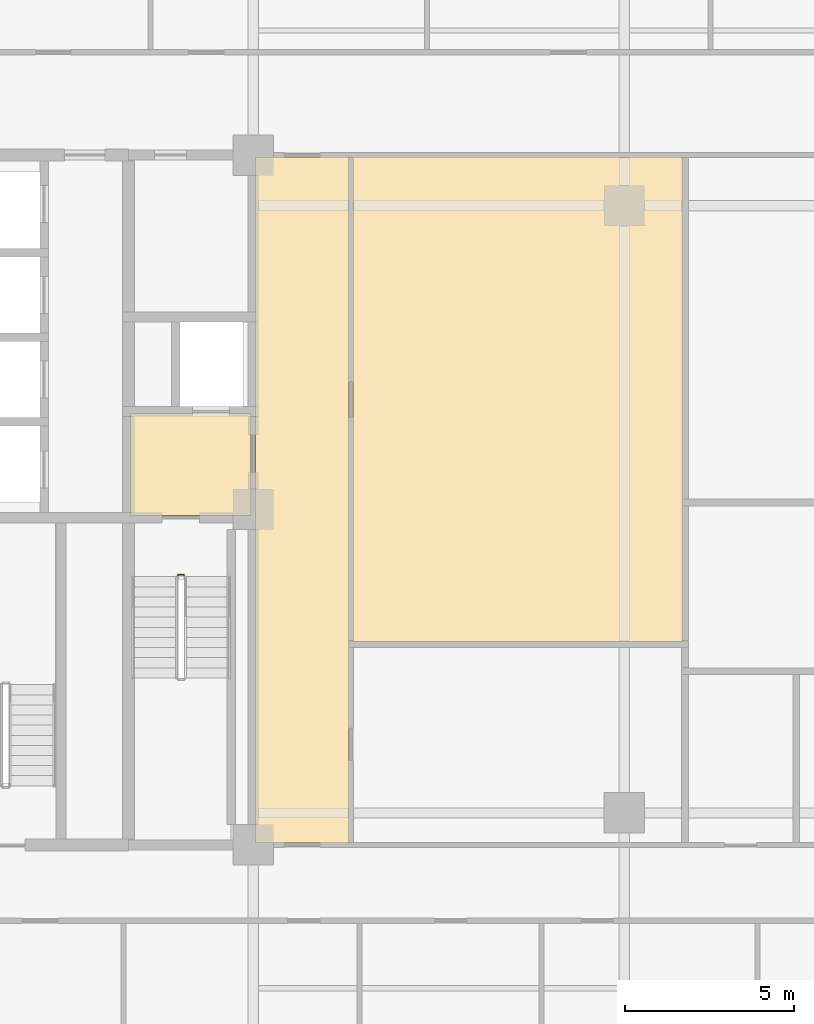
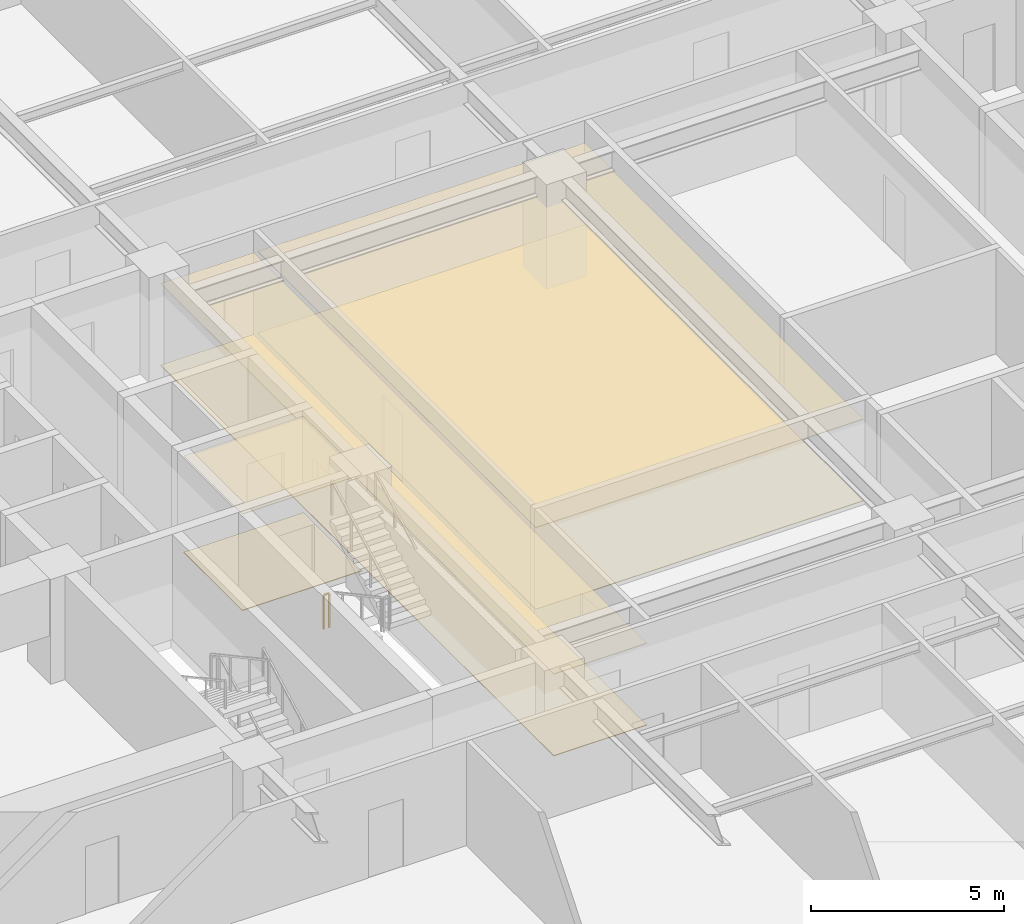
# One storey, part 12 of 14: 6 coverings, 1 railing.
"""IFC4 building model written with IfcOpenShell, lengths in metres."""

from ifc_helpers import new_model, si_unit, direction, frame, origin, origin_2d, place, context, subcontext, project, spatial, polyline, rectangle, outline, extrude, material, layer, layer_set, type_object, element, save


model = new_model("IFC4")

# Units and contexts
model_context = context("Model", 3, precision=1e-05, world=origin(), true_north=direction((0.0, 1.0)))
body_context = subcontext(model_context, "Body", "Model", "MODEL_VIEW")
ifc_project = project(units=[si_unit("LENGTHUNIT", "METRE"), si_unit("AREAUNIT", "SQUARE_METRE"), si_unit("VOLUMEUNIT", "CUBIC_METRE"), si_unit("PLANEANGLEUNIT", "RADIAN"), si_unit("MASSUNIT", "GRAM", prefix="KILO")], contexts=[model_context])

# Site, building, storey
site_placement = place(None, origin())
site = spatial("IfcSite", under=ifc_project, at=site_placement, CompositionType="ELEMENT")
building_placement = place(site_placement, origin())
building = spatial("IfcBuilding", under=site, at=building_placement, Name="Zulmaris Gate Convention Tower", CompositionType="ELEMENT")
storey_placement = place(building_placement, frame((0.0, 0.0, 60.760009765625)))
storey = spatial("IfcBuildingStorey", under=building, at=storey_placement, Name="L14", CompositionType="ELEMENT", Elevation=60.760009765625)

# Coverings
ifc_material_1 = material(Name="Mineral Fibre Acoustic Ceiling Tile")
ifc_layer_1 = layer(ifc_material_1, 0.02001953125, Name="Mineral Fibre Acoustic Ceiling Tile")
ifc_layer_set_1 = layer_set([ifc_layer_1], Name="Mineral Fibre Acoustic Ceiling Tile")
covering_type_1 = type_object("IfcCoveringType", Name="CLG-ACOUSTIC-600", PredefinedType="CEILING", material=ifc_layer_set_1)
covering_1_placement = place(storey_placement, frame((0.0, 0.0, 3.039794921875)))
element("IfcCovering", 1, at=covering_1_placement, inside=storey, type_object=covering_type_1, Name="CLG-L14-R03", PredefinedType="CEILING", context=body_context, shape_type="SweptSolid", body=[
    extrude(outline(polyline([(-14.639892578125, -0.18994140625), (-11.06005859375, -0.18994140625), (-11.06005859375, 2.840087890625), (-14.639892578125, 2.840087890625), (-14.639892578125, -0.18994140625)])), origin(), (0.0, 0.0, 1.0), 0.02001953125),
])
covering_2_placement = place(storey_placement, frame((0.0, 0.0, 2.577880859375)))
element("IfcCovering", 2, at=covering_2_placement, inside=storey, type_object=covering_type_1, Name="CLG-L14-R28", PredefinedType="CEILING", context=body_context, shape_type="SweptSolid", body=[
    extrude(outline(polyline([(-10.93994140625, -9.889892578125), (-8.159912109375, -9.889892578125), (-8.159912109375, 10.43994140625), (-10.93994140625, 10.43994140625), (-10.93994140625, -9.889892578125)])), origin(), (0.0, 0.0, 1.0), 0.02001953125),
])
covering_3_placement = place(storey_placement, frame((0.0, 0.0, 2.577880859375)))
element("IfcCovering", 3, at=covering_3_placement, inside=storey, type_object=covering_type_1, Name="CLG-L14-R41", PredefinedType="CEILING", context=body_context, shape_type="SweptSolid", body=[
    extrude(outline(polyline([(-8.0400390625, -3.93994140625), (1.739990234375, -3.93994140625), (1.739990234375, 10.43994140625), (-8.0400390625, 10.43994140625), (-8.0400390625, -3.93994140625)])), origin(), (0.0, 0.0, 1.0), 0.02001953125),
])
ifc_material_2 = material(Name="Woven Acoustic Wool Carpet Tile")
ifc_layer_2 = layer(ifc_material_2, 0.02001953125, Name="Woven Acoustic Wool Carpet Tile")
ifc_layer_set_2 = layer_set([ifc_layer_2], Name="Woven Acoustic Wool Carpet Tile")
covering_type_2 = type_object("IfcCoveringType", Name="FLR-CARPET-12", PredefinedType="FLOORING", material=ifc_layer_set_2)
covering_4_placement = place(storey_placement, origin())
element("IfcCovering", 4, at=covering_4_placement, inside=storey, type_object=covering_type_2, Name="FLR-L14-R03", PredefinedType="FLOORING", context=body_context, shape_type="SweptSolid", body=[
    extrude(outline(polyline([(-14.639892578125, -0.18994140625), (-11.06005859375, -0.18994140625), (-11.06005859375, 2.840087890625), (-14.639892578125, 2.840087890625), (-14.639892578125, -0.18994140625)])), origin(), (0.0, 0.0, 1.0), 0.02001953125),
])
covering_5_placement = place(storey_placement, origin())
element("IfcCovering", 5, at=covering_5_placement, inside=storey, type_object=covering_type_2, Name="FLR-L14-R28", PredefinedType="FLOORING", context=body_context, shape_type="SweptSolid", body=[
    extrude(outline(polyline([(-10.93994140625, -9.889892578125), (-8.159912109375, -9.889892578125), (-8.159912109375, 10.43994140625), (-10.93994140625, 10.43994140625), (-10.93994140625, -9.889892578125)])), origin(), (0.0, 0.0, 1.0), 0.02001953125),
])
ifc_material_3 = material(Name="Engineered Teak Parquet Flooring")
ifc_layer_3 = layer(ifc_material_3, 0.02001953125, Name="Engineered Teak Parquet Flooring")
ifc_layer_set_3 = layer_set([ifc_layer_3], Name="Engineered Teak Parquet Flooring")
covering_type_3 = type_object("IfcCoveringType", Name="FLR-TIMBER-18", PredefinedType="FLOORING", material=ifc_layer_set_3)
covering_6_placement = place(storey_placement, origin())
element("IfcCovering", 6, at=covering_6_placement, inside=storey, type_object=covering_type_3, Name="FLR-L14-R41", PredefinedType="FLOORING", context=body_context, shape_type="SweptSolid", body=[
    extrude(outline(polyline([(-8.0400390625, -3.93994140625), (1.739990234375, -3.93994140625), (1.739990234375, 10.43994140625), (-8.0400390625, 10.43994140625), (-8.0400390625, -3.93994140625)])), origin(), (0.0, 0.0, 1.0), 0.02001953125),
])

# Railing
ifc_material_4 = material(Name="Painted Galvanised Steel", Category="steel")
railing_type = type_object("IfcRailingType", Name="RL-STG-1150", PredefinedType="GUARDRAIL", material=ifc_material_4)
railing_placement = place(storey_placement, frame((-13.219970703125, -1.949951171875, 0.0)))
element("IfcRailing", 7, at=railing_placement, inside=storey, type_object=railing_type, Name="L14 ST-1 stair guard 4", PredefinedType="GUARDRAIL", context=body_context, shape_type="SweptSolid", body=[
    extrude(rectangle(XDim=0.048095703125, YDim=0.048095703125, at=origin_2d()), frame((0.0, 0.0, 1.076171875), z_axis=(1.0, 0.0, 0.0), x_axis=(0.0, 1.0, 0.0)), (0.0, 0.0, 1.0), 0.159912109375),
    extrude(rectangle(XDim=0.0419921875, YDim=0.0419921875, at=origin_2d()), origin(), (0.0, 0.0, 1.0), 1.052001953125),
    extrude(rectangle(XDim=0.0419921875, YDim=0.0419921875, at=origin_2d()), frame((0.159912109375, 0.0, 0.0)), (0.0, 0.0, 1.0), 1.052001953125),
])

save(model, "model.ifc")
